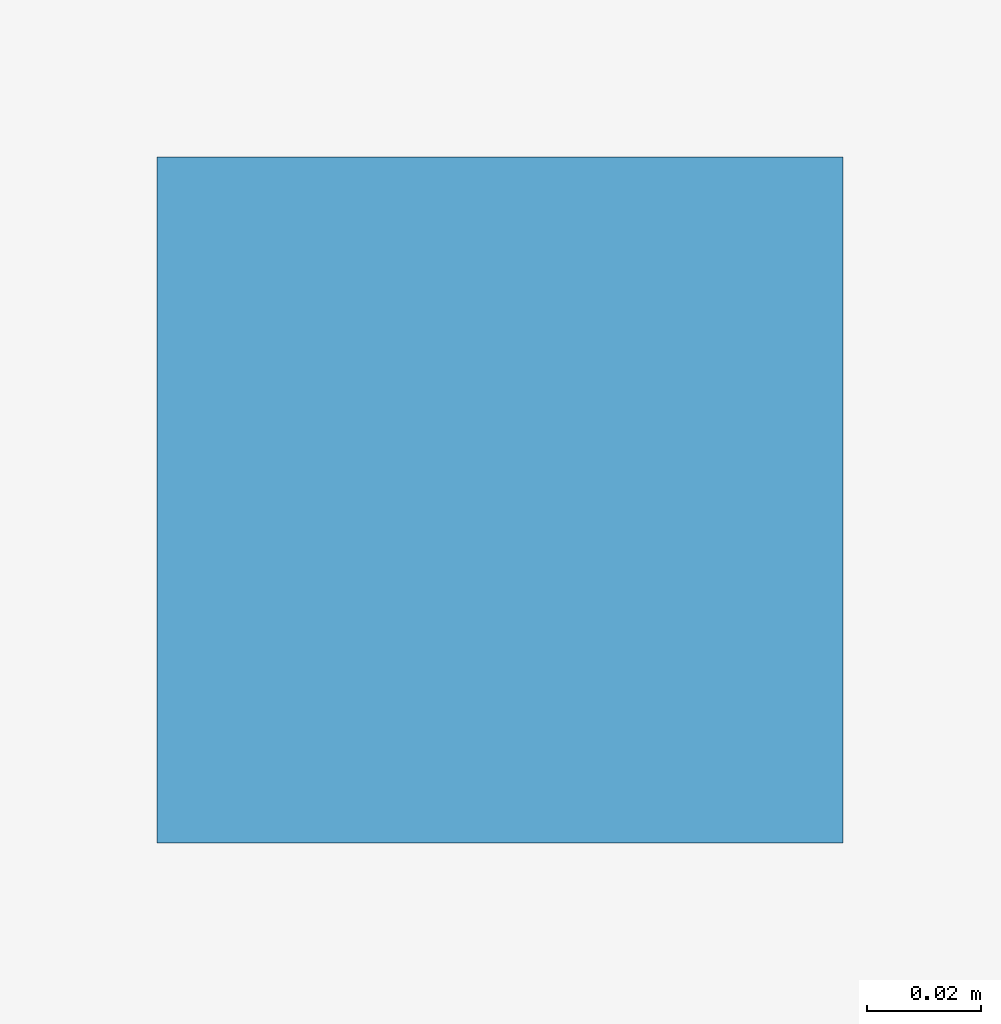
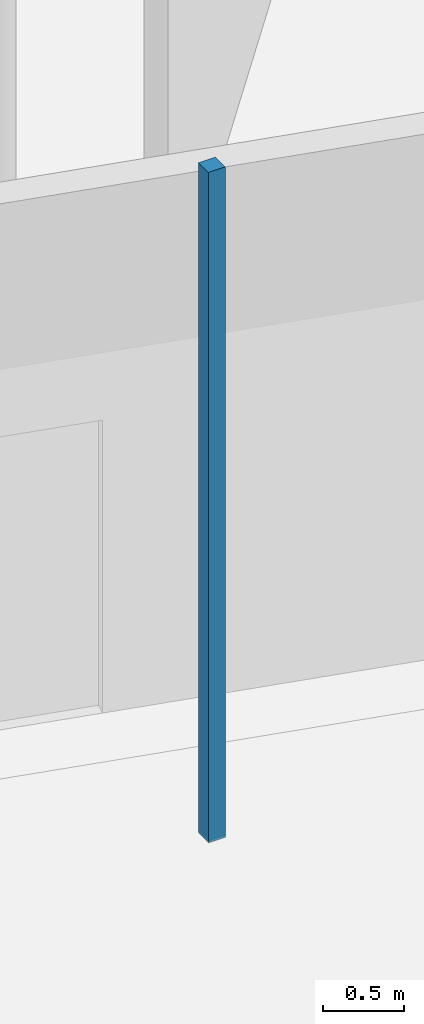
# One storey, part 75 of 90: 1 discrete accessory.
"""IFC4 building model written with IfcOpenShell, lengths in metres."""

import ifcopenshell
import ifcopenshell.guid

model = None  # the IFC model being written
_history = None  # IfcOwnerHistory: only IFC2X3 demands one
_inside = {}  # id of a spatial element -> (the spatial element, [elements in it])
_under = {}  # id of a project, library or spatial element -> (it, [spatial elements below it])
_declared = {}  # id of a project -> (the project, [libraries it declares])
_typed = {}  # id of a type object -> (the type object, [elements of that type])
_made_of = {}  # id of a material, layer set ... -> (it, [elements and type objects made of it])


def new_model(schema):
    """Start an empty IFC model of exactly this schema.

    Asked for "IFC4X3", IfcOpenShell would pick the latest addendum, in which some entities
    have other attributes; the version numbers below select the first issue.
    IFC2X3 requires an IfcOwnerHistory on every rooted entity: one is made here for all.
    """
    global model, _history
    if schema == "IFC4X3":
        model = ifcopenshell.file(schema_version=(4, 3, 0, 0))
    else:
        model = ifcopenshell.file(schema=schema)
    _inside.clear()
    _under.clear()
    _declared.clear()
    _typed.clear()
    _made_of.clear()
    _history = None
    if model.schema == "IFC2X3":
        org = make("IfcOrganization", Name="unknown")
        user = make(
            "IfcPersonAndOrganization",
            ThePerson=make("IfcPerson", FamilyName="unknown"),
            TheOrganization=org,
        )
        app = make(
            "IfcApplication",
            ApplicationDeveloper=org,
            Version="unknown",
            ApplicationFullName="unknown",
            ApplicationIdentifier="unknown",
        )
        _history = make(
            "IfcOwnerHistory",
            OwningUser=user,
            OwningApplication=app,
            ChangeAction="ADDED",
            CreationDate=0,
        )
    return model


def make(cls, **values):
    """One entity of the class cls with the attributes given. An attribute that is None is left unset."""
    return model.create_entity(
        cls, **{name: value for name, value in values.items() if value is not None}
    )


def rooted(cls, **values):
    """An entity with a GlobalId (a new one), such as an element, a storey or a relation."""
    return make(cls, GlobalId=ifcopenshell.guid.new(), OwnerHistory=_history, **values)


def si_unit(unit_type, name, prefix=None):
    """IfcSIUnit, for example si_unit("LENGTHUNIT", "METRE", prefix="MILLI")."""
    return make("IfcSIUnit", UnitType=unit_type, Prefix=prefix, Name=name)


def assignment(units):
    """IfcUnitAssignment: the units of a project."""
    return None if units is None else make("IfcUnitAssignment", Units=units)


def point(xyz):
    """IfcCartesianPoint."""
    return None if xyz is None else make("IfcCartesianPoint", Coordinates=xyz)


def direction(xyz):
    """IfcDirection."""
    return None if xyz is None else make("IfcDirection", DirectionRatios=xyz)


def frame(location, z_axis=None, x_axis=None):
    """IfcAxis2Placement3D, a coordinate frame: its origin and axes. An axis left out is left unset."""
    return make(
        "IfcAxis2Placement3D",
        Location=point(location),
        Axis=direction(z_axis),
        RefDirection=direction(x_axis),
    )


def frame_2d(location, x_axis=None):
    """IfcAxis2Placement2D, a coordinate frame in the plane: its origin and x axis."""
    return make(
        "IfcAxis2Placement2D", Location=point(location), RefDirection=direction(x_axis)
    )


def origin():
    """The frame at (0, 0, 0) with its axes left unset."""
    return frame((0.0, 0.0, 0.0))


def origin_2d():
    """The frame at (0, 0) in the plane with its x axis left unset."""
    return frame_2d((0.0, 0.0))


def place(relative_to, where):
    """IfcLocalPlacement: puts the frame where relative to a parent placement (None: the world)."""
    return make(
        "IfcLocalPlacement", PlacementRelTo=relative_to, RelativePlacement=where
    )


def context(
    kind, dimensions, precision=None, world=None, true_north=None, identifier=None
):
    """IfcGeometricRepresentationContext, for example the 3D "Model" context."""
    return make(
        "IfcGeometricRepresentationContext",
        ContextIdentifier=identifier,
        ContextType=kind,
        CoordinateSpaceDimension=dimensions,
        Precision=precision,
        WorldCoordinateSystem=world,
        TrueNorth=true_north,
    )


def subcontext(parent, identifier, kind, view, scale=None):
    """IfcGeometricRepresentationSubContext, for example "Body" below "Model"."""
    return make(
        "IfcGeometricRepresentationSubContext",
        ContextIdentifier=identifier,
        ContextType=kind,
        ParentContext=parent,
        TargetScale=scale,
        TargetView=view,
    )


def project(units=None, contexts=None):
    """IfcProject with its units and contexts."""
    return rooted(
        "IfcProject",
        Name="project",
        RepresentationContexts=contexts,
        UnitsInContext=assignment(units),
    )


def spatial(cls, under=None, at=None, **own):
    """A site, building, storey or space (cls), placed at a placement, below another one or the project."""
    s = rooted(cls, ObjectPlacement=at, **own)
    if under is not None:
        _under.setdefault(under.id(), (under, []))[1].append(s)
    return s


def profile(cls, at=None, kind="AREA", **sizes):
    """A parametric profile (cls). Its sizes go by their IFC names, for example OverallWidth=200.0."""
    return make(cls, ProfileType=kind, Position=at, **sizes)


def rectangle(**sizes):
    """IfcRectangleProfileDef."""
    return profile("IfcRectangleProfileDef", **sizes)


def extrude(swept, where, along, depth):
    """IfcExtrudedAreaSolid: the profile swept, set in the frame where, extruded along a direction by depth."""
    return make(
        "IfcExtrudedAreaSolid",
        SweptArea=swept,
        Position=where,
        ExtrudedDirection=direction(along),
        Depth=depth,
    )


def shape(context_of_items, identifier, shape_type, items):
    """IfcShapeRepresentation: the items that make up one representation, for example the "Body"."""
    return make(
        "IfcShapeRepresentation",
        ContextOfItems=context_of_items,
        RepresentationIdentifier=identifier,
        RepresentationType=shape_type,
        Items=items,
    )


def material(Name=None, Category=None):
    """IfcMaterial."""
    return make("IfcMaterial", Name=Name, Category=Category)


def made_of(thing, what):
    """Note that an element or type object is made of a material, layer set ...; save() writes the relation."""
    if what is not None:
        _made_of.setdefault(what.id(), (what, []))[1].append(thing)
    return thing


def type_object(cls, material=None, **own):
    """A type object (cls), such as IfcWallType, which elements share."""
    return made_of(rooted(cls, **own), material)


def element(
    cls,
    number,
    at=None,
    inside=None,
    cuts=None,
    type_object=None,
    material=None,
    context=None,
    identifier="Body",
    shape_type=None,
    held_by="IfcProductDefinitionShape",
    body=None,
    shapes=None,
    **own,
):
    """One element of the class cls, such as IfcWall. Its Tag is "e" and its number.

    at: its placement. inside: the storey or other place that contains it. cuts: it is an
    opening in that element (IfcRelVoidsElement). A single representation is given by context,
    identifier, shape_type and body (its items); several are given by shapes. held_by: the class
    of the entity that holds the representations. save() writes the other relations.
    """
    e = rooted(cls, Tag="e%d" % number, ObjectPlacement=at, **own)
    if body is not None:
        shapes = [shape(context, identifier, shape_type, body)]
    if shapes is not None:
        e.Representation = make(held_by, Representations=shapes)
    if inside is not None:
        _inside.setdefault(inside.id(), (inside, []))[1].append(e)
    if cuts is not None:
        rooted(
            "IfcRelVoidsElement", RelatingBuildingElement=cuts, RelatedOpeningElement=e
        )
    if type_object is not None:
        _typed.setdefault(type_object.id(), (type_object, []))[1].append(e)
    return made_of(e, material)


def aggregate(whole, parts):
    """IfcRelAggregates: a whole, such as a stair, and the parts it consists of."""
    return rooted("IfcRelAggregates", RelatingObject=whole, RelatedObjects=parts)


def save(model, path):
    """Write the relations noted so far, then the file.

    IfcRelAggregates (storeys below a building ...), IfcRelContainedInSpatialStructure (elements
    in a storey), IfcRelDefinesByType, IfcRelAssociatesMaterial and IfcRelDeclares: one each for
    every whole, place, type object, material and project.
    """
    for whole, parts in _under.values():
        aggregate(whole, parts)
    for where, things in _inside.values():
        rooted(
            "IfcRelContainedInSpatialStructure",
            RelatedElements=things,
            RelatingStructure=where,
        )
    for kind, things in _typed.values():
        rooted("IfcRelDefinesByType", RelatedObjects=things, RelatingType=kind)
    for what, things in _made_of.values():
        rooted("IfcRelAssociatesMaterial", RelatedObjects=things, RelatingMaterial=what)
    for by, libraries in _declared.values():
        rooted("IfcRelDeclares", RelatingContext=by, RelatedDefinitions=libraries)
    model.write(path)


model = new_model("IFC4")

# Units and contexts
model_context = context("Model", 3, precision=1e-05, world=origin(), true_north=direction((0.0, 1.0)))
body_context = subcontext(model_context, "Body", "Model", "MODEL_VIEW")
ifc_project = project(units=[si_unit("LENGTHUNIT", "METRE"), si_unit("AREAUNIT", "SQUARE_METRE"), si_unit("VOLUMEUNIT", "CUBIC_METRE"), si_unit("PLANEANGLEUNIT", "RADIAN"), si_unit("MASSUNIT", "GRAM", prefix="KILO")], contexts=[model_context])

# Site, building, storey
site_placement = place(None, origin())
site = spatial("IfcSite", under=ifc_project, at=site_placement, CompositionType="ELEMENT")
building_placement = place(site_placement, origin())
building = spatial("IfcBuilding", under=site, at=building_placement, Name="Wrenclough Park School", CompositionType="ELEMENT")
storey_placement = place(building_placement, frame((0.0, 0.0, 8.39990234375)))
storey = spatial("IfcBuildingStorey", under=building, at=storey_placement, Name="L02", CompositionType="ELEMENT", Elevation=8.39990234375)

# Discrete accessory
ifc_material = material(Name="Galvanised steel acoustic ceiling suspension hanger", Category="steel")
discrete_accessory_type = type_object("IfcDiscreteAccessoryType", Name="INT-BRK-HGR", PredefinedType="BRACKET", material=ifc_material)
discrete_accessory_placement = place(storey_placement, frame((156.39990234375, 24.39990234375, 3.09033203125), z_axis=(0.0, 0.0, 1.0), x_axis=(1.0, 0.0, 0.0)))
element("IfcDiscreteAccessory", 1, at=discrete_accessory_placement, inside=storey, type_object=discrete_accessory_type, Name="Acoustic ceiling hanger bracket 0044", PredefinedType="BRACKET", context=body_context, shape_type="SweptSolid", body=[
    extrude(rectangle(XDim=0.1201171875, YDim=0.1201171875, at=origin_2d()), origin(), (0.0, 0.0, 1.0), 5.034912109375),
])

save(model, "model.ifc")
